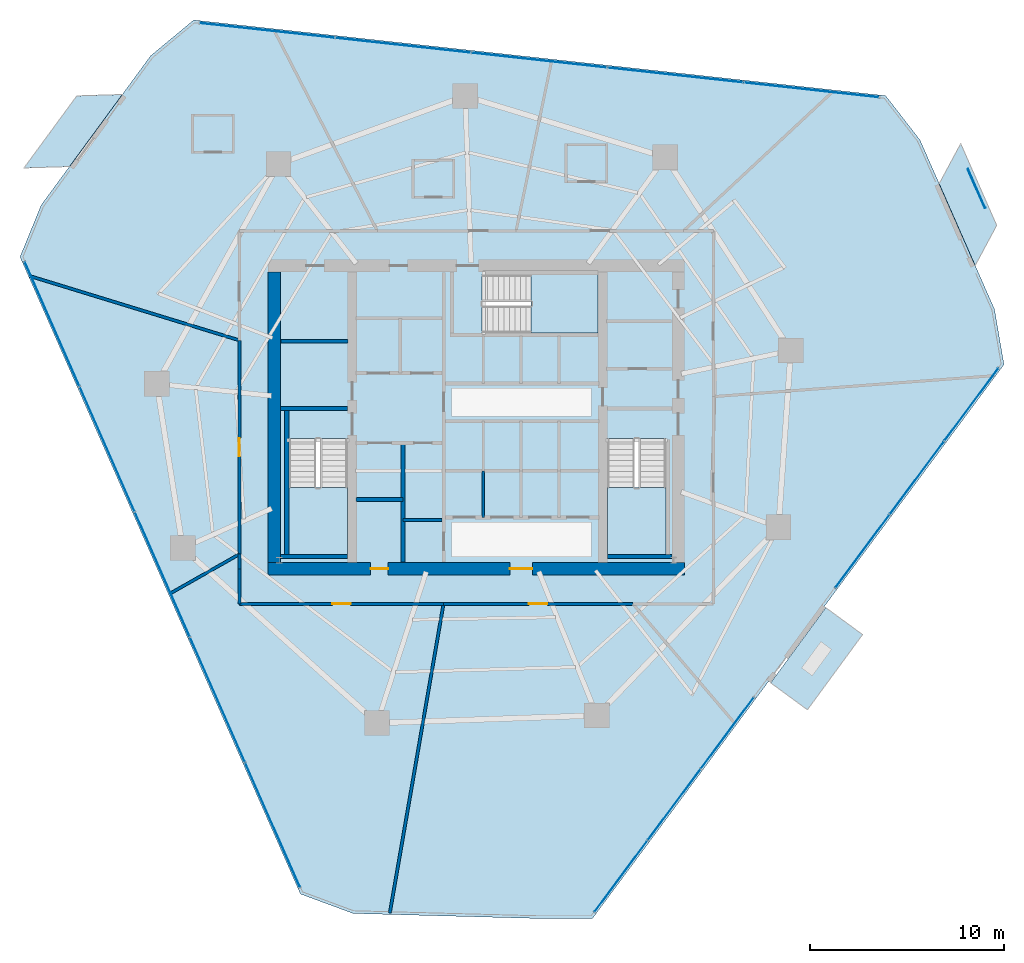
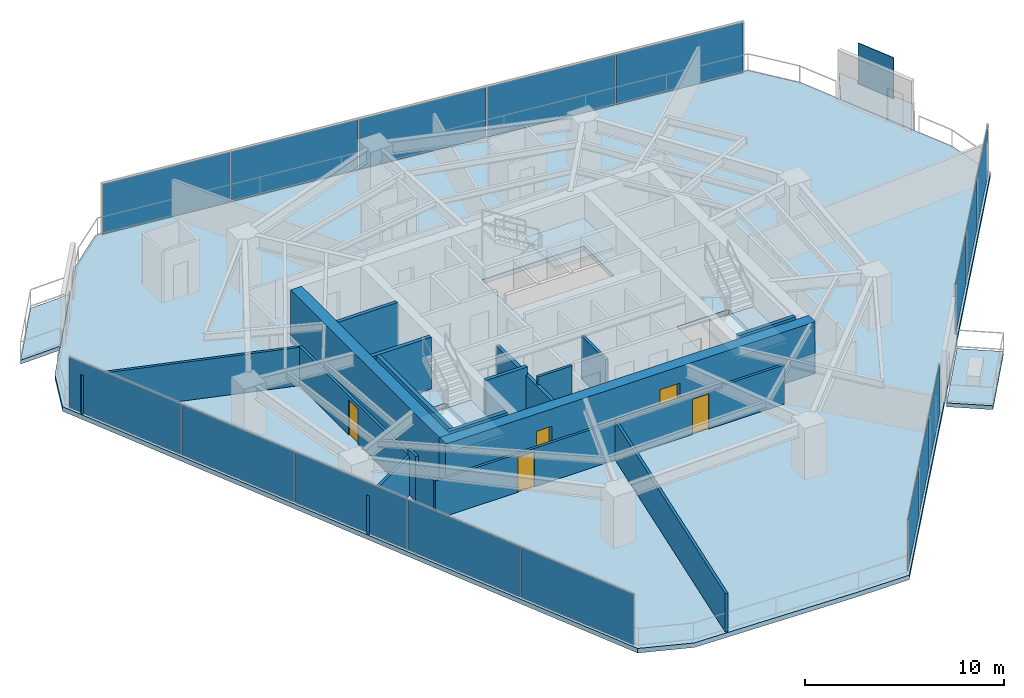
# One storey, part 23 of 28: 19 walls, 17 plates, 7 slabs, 5 doors, 5 openings, 7 elements without a shape of their own.
"""IFC4 building model written with IfcOpenShell, lengths in metres."""

from ifc_helpers import new_model, si_unit, direction, frame, frame_2d, origin, origin_2d, place, context, subcontext, project, spatial, polyline, rectangle, outline, extrude, material, layer, layer_set, type_object, element, fill, aggregate, save


model = new_model("IFC4")

# Units and contexts
model_context = context("Model", 3, precision=1e-05, world=origin(), true_north=direction((0.0, 1.0)))
body_context = subcontext(model_context, "Body", "Model", "MODEL_VIEW")
ifc_project = project(units=[si_unit("LENGTHUNIT", "METRE"), si_unit("AREAUNIT", "SQUARE_METRE"), si_unit("VOLUMEUNIT", "CUBIC_METRE"), si_unit("PLANEANGLEUNIT", "RADIAN"), si_unit("MASSUNIT", "GRAM", prefix="KILO")], contexts=[model_context])

# Site, building, storey
site_placement = place(None, origin())
site = spatial("IfcSite", under=ifc_project, at=site_placement, CompositionType="ELEMENT")
building_placement = place(site_placement, origin())
building = spatial("IfcBuilding", under=site, at=building_placement, Name="Qarnah Convention Tower", CompositionType="ELEMENT")
storey_placement = place(building_placement, frame((0.0, 0.0, 44.25)))
storey = spatial("IfcBuildingStorey", under=building, at=storey_placement, Name="L10", CompositionType="ELEMENT", Elevation=44.25)

# Curtain wall, plates
ifc_material_1 = material(Name="Tempered Low-E dark glass", Category="glass")
ifc_layer_1 = layer(ifc_material_1, 0.16796875)
ifc_layer_set_1 = layer_set([ifc_layer_1], Name="Tempered Low-E dark glass")
curtain_wall_type = type_object("IfcCurtainWallType", Name="CWS-01", PredefinedType="NOTDEFINED", material=ifc_layer_set_1)
curtain_wall_1_placement = place(storey_placement, origin())
curtain_wall_1 = element("IfcCurtainWall", 1, at=curtain_wall_1_placement, inside=storey, type_object=curtain_wall_type, Name="L10 unitised curtain wall CW-L10-F1", PredefinedType="NOTDEFINED")
ifc_layer_2 = layer(ifc_material_1, 0.028076171875)
ifc_layer_set_2 = layer_set([ifc_layer_2], Name="Tempered Low-E dark glass")
plate_type_1 = type_object("IfcPlateType", Name="PNL-T1", PredefinedType="CURTAIN_PANEL", material=ifc_layer_set_2)
plate_1_placement = place(storey_placement, frame((26.709228515625, 5.406005859375, 0.0400390625), z_axis=(0.0, 0.0, 1.0), x_axis=(-0.402894582993, 0.915246390321, 0.0)))
plate_1 = element("IfcPlate", 2, at=plate_1_placement, type_object=plate_type_1, Name="CW-L10-F1 curtain panel 1.1", PredefinedType="CURTAIN_PANEL", context=body_context, shape_type="SweptSolid", body=[
    extrude(rectangle(XDim=6.967529296875, YDim=0.028076171875, at=origin_2d()), origin(), (0.0, 0.0, 1.0), 3.090087890625),
])
plate_2_placement = place(storey_placement, frame((23.869873046875, 11.856201171875, 0.0400390625), z_axis=(0.0, 0.0, 1.0), x_axis=(-0.402894582993, 0.915246390321, 0.0)))
plate_2 = element("IfcPlate", 3, at=plate_2_placement, type_object=plate_type_1, Name="CW-L10-F1 curtain panel 2.1", PredefinedType="CURTAIN_PANEL", context=body_context, shape_type="SweptSolid", body=[
    extrude(rectangle(XDim=6.967529296875, YDim=0.028076171875, at=origin_2d()), origin(), (0.0, 0.0, 1.0), 3.090087890625),
])
plate_3_placement = place(storey_placement, frame((21.030517578125, 18.306396484375, 0.0400390625), z_axis=(0.0, 0.0, 1.0), x_axis=(-0.402894582993, 0.915246390321, 0.0)))
plate_3 = element("IfcPlate", 4, at=plate_3_placement, type_object=plate_type_1, Name="CW-L10-F1 curtain panel 3.1", PredefinedType="CURTAIN_PANEL", context=body_context, shape_type="SweptSolid", body=[
    extrude(rectangle(XDim=6.967529296875, YDim=0.028076171875, at=origin_2d()), origin(), (0.0, 0.0, 1.0), 3.090087890625),
])
plate_4_placement = place(storey_placement, frame((18.191162109375, 24.756591796875, 0.0400390625), z_axis=(0.0, 0.0, 1.0), x_axis=(-0.402894582993, 0.915246390321, 0.0)))
plate_4 = element("IfcPlate", 5, at=plate_4_placement, type_object=plate_type_1, Name="CW-L10-F1 curtain panel 4.1", PredefinedType="CURTAIN_PANEL", context=body_context, shape_type="SweptSolid", body=[
    extrude(rectangle(XDim=6.967529296875, YDim=0.028076171875, at=origin_2d()), origin(), (0.0, 0.0, 1.0), 3.090087890625),
])
plate_5_placement = place(storey_placement, frame((15.351806640625, 31.206787109375, 0.0400390625), z_axis=(0.0, 0.0, 1.0), x_axis=(-0.402894582993, 0.915246390321, 0.0)))
plate_5 = element("IfcPlate", 6, at=plate_5_placement, type_object=plate_type_1, Name="CW-L10-F1 curtain panel 5.1", PredefinedType="CURTAIN_PANEL", context=body_context, shape_type="SweptSolid", body=[
    extrude(rectangle(XDim=6.967529296875, YDim=0.028076171875, at=origin_2d()), origin(), (0.0, 0.0, 1.0), 3.090087890625),
])
aggregate(curtain_wall_1, [plate_1, plate_2, plate_3, plate_4, plate_5])

curtain_wall_2_placement = place(storey_placement, origin())
curtain_wall_2 = element("IfcCurtainWall", 7, at=curtain_wall_2_placement, inside=storey, type_object=curtain_wall_type, Name="L10 unitised curtain wall CW-L10-F2", PredefinedType="NOTDEFINED")
plate_6_placement = place(storey_placement, frame((26.430908203125, 46.322998046875, 0.0400390625), z_axis=(0.0, 0.0, 1.0), x_axis=(0.994075669195, -0.108690219954, 0.0)))
plate_6 = element("IfcPlate", 8, at=plate_6_placement, type_object=plate_type_1, Name="CW-L10-F2 curtain panel 1.1", PredefinedType="CURTAIN_PANEL", context=body_context, shape_type="SweptSolid", body=[
    extrude(rectangle(XDim=6.967529296875, YDim=0.028076171875, at=origin_2d()), origin(), (0.0, 0.0, 1.0), 3.090087890625),
])
plate_7_placement = place(storey_placement, frame((33.436767578125, 45.556884765625, 0.0400390625), z_axis=(0.0, 0.0, 1.0), x_axis=(0.994075669195, -0.108690219954, 0.0)))
plate_7 = element("IfcPlate", 9, at=plate_7_placement, type_object=plate_type_1, Name="CW-L10-F2 curtain panel 2.1", PredefinedType="CURTAIN_PANEL", context=body_context, shape_type="SweptSolid", body=[
    extrude(rectangle(XDim=6.967529296875, YDim=0.028076171875, at=origin_2d()), origin(), (0.0, 0.0, 1.0), 3.090087890625),
])
plate_8_placement = place(storey_placement, frame((40.4423828125, 44.791015625, 0.0400390625), z_axis=(0.0, 0.0, 1.0), x_axis=(0.994075669195, -0.108690219954, 0.0)))
plate_8 = element("IfcPlate", 10, at=plate_8_placement, type_object=plate_type_1, Name="CW-L10-F2 curtain panel 3.1", PredefinedType="CURTAIN_PANEL", context=body_context, shape_type="SweptSolid", body=[
    extrude(rectangle(XDim=6.967529296875, YDim=0.028076171875, at=origin_2d()), origin(), (0.0, 0.0, 1.0), 3.090087890625),
])
plate_9_placement = place(storey_placement, frame((47.4482421875, 44.02490234375, 0.0400390625), z_axis=(0.0, 0.0, 1.0), x_axis=(0.994075669195, -0.108690219954, 0.0)))
plate_9 = element("IfcPlate", 11, at=plate_9_placement, type_object=plate_type_1, Name="CW-L10-F2 curtain panel 4.1", PredefinedType="CURTAIN_PANEL", context=body_context, shape_type="SweptSolid", body=[
    extrude(rectangle(XDim=6.967529296875, YDim=0.028076171875, at=origin_2d()), origin(), (0.0, 0.0, 1.0), 3.090087890625),
])
plate_10_placement = place(storey_placement, frame((54.4541015625, 43.259033203125, 0.0400390625), z_axis=(0.0, 0.0, 1.0), x_axis=(0.994075669195, -0.108690219954, 0.0)))
plate_10 = element("IfcPlate", 12, at=plate_10_placement, type_object=plate_type_1, Name="CW-L10-F2 curtain panel 5.1", PredefinedType="CURTAIN_PANEL", context=body_context, shape_type="SweptSolid", body=[
    extrude(rectangle(XDim=6.967529296875, YDim=0.028076171875, at=origin_2d()), origin(), (0.0, 0.0, 1.0), 3.090087890625),
])
aggregate(curtain_wall_2, [plate_6, plate_7, plate_8, plate_9, plate_10])

curtain_wall_3_placement = place(storey_placement, origin())
curtain_wall_3 = element("IfcCurtainWall", 13, at=curtain_wall_3_placement, inside=storey, type_object=curtain_wall_type, Name="L10 unitised curtain wall CW-L10-F3", PredefinedType="NOTDEFINED")
plate_11_placement = place(storey_placement, frame((62.6845703125, 27.059814453125, 0.0400390625), z_axis=(0.0, 0.0, 1.0), x_axis=(-0.596356591949, -0.80271963676, 0.0)))
plate_11 = element("IfcPlate", 14, at=plate_11_placement, type_object=plate_type_1, Name="CW-L10-F3 curtain panel 1.1", PredefinedType="CURTAIN_PANEL", context=body_context, shape_type="SweptSolid", body=[
    extrude(rectangle(XDim=4.626953125, YDim=0.028076171875, at=origin_2d()), origin(), (0.0, 0.0, 1.0), 3.090087890625),
])
plate_12_placement = place(storey_placement, frame((59.87744140625, 23.281494140625, 0.0400390625), z_axis=(0.0, 0.0, 1.0), x_axis=(-0.596356591949, -0.80271963676, 0.0)))
plate_12 = element("IfcPlate", 15, at=plate_12_placement, type_object=plate_type_1, Name="CW-L10-F3 curtain panel 2.1", PredefinedType="CURTAIN_PANEL", context=body_context, shape_type="SweptSolid", body=[
    extrude(rectangle(XDim=4.626953125, YDim=0.028076171875, at=origin_2d()), origin(), (0.0, 0.0, 1.0), 3.090087890625),
])
plate_13_placement = place(storey_placement, frame((57.070556640625, 19.503173828125, 0.0400390625), z_axis=(0.0, 0.0, 1.0), x_axis=(-0.596356591949, -0.80271963676, 0.0)))
plate_13 = element("IfcPlate", 16, at=plate_13_placement, type_object=plate_type_1, Name="CW-L10-F3 curtain panel 3.1", PredefinedType="CURTAIN_PANEL", context=body_context, shape_type="SweptSolid", body=[
    extrude(rectangle(XDim=4.626953125, YDim=0.028076171875, at=origin_2d()), origin(), (0.0, 0.0, 1.0), 3.090087890625),
])
aggregate(curtain_wall_3, [plate_11, plate_12, plate_13])

curtain_wall_4_placement = place(storey_placement, origin())
curtain_wall_4 = element("IfcCurtainWall", 17, at=curtain_wall_4_placement, inside=storey, type_object=curtain_wall_type, Name="L10 unitised curtain wall CW-L10-F4", PredefinedType="NOTDEFINED")
plate_14_placement = place(storey_placement, frame((50.12158203125, 10.148681640625, 0.0400390625), z_axis=(0.0, 0.0, 1.0), x_axis=(-0.596332003942, -0.802737903101, 0.0)))
plate_14 = element("IfcPlate", 18, at=plate_14_placement, type_object=plate_type_1, Name="CW-L10-F4 curtain panel 1.1", PredefinedType="CURTAIN_PANEL", context=body_context, shape_type="SweptSolid", body=[
    extrude(rectangle(XDim=4.5224609375, YDim=0.028076171875, at=origin_2d()), origin(), (0.0, 0.0, 1.0), 3.090087890625),
])
plate_15_placement = place(storey_placement, frame((47.376953125, 6.4541015625, 0.0400390625), z_axis=(0.0, 0.0, 1.0), x_axis=(-0.596332003942, -0.802737903101, 0.0)))
plate_15 = element("IfcPlate", 19, at=plate_15_placement, type_object=plate_type_1, Name="CW-L10-F4 curtain panel 2.1", PredefinedType="CURTAIN_PANEL", context=body_context, shape_type="SweptSolid", body=[
    extrude(rectangle(XDim=4.5224609375, YDim=0.028076171875, at=origin_2d()), origin(), (0.0, 0.0, 1.0), 3.090087890625),
])
plate_16_placement = place(storey_placement, frame((44.63232421875, 2.75927734375, 0.0400390625), z_axis=(0.0, 0.0, 1.0), x_axis=(-0.596332003942, -0.802737903101, 0.0)))
plate_16 = element("IfcPlate", 20, at=plate_16_placement, type_object=plate_type_1, Name="CW-L10-F4 curtain panel 3.1", PredefinedType="CURTAIN_PANEL", context=body_context, shape_type="SweptSolid", body=[
    extrude(rectangle(XDim=4.5224609375, YDim=0.028076171875, at=origin_2d()), origin(), (0.0, 0.0, 1.0), 3.090087890625),
])
aggregate(curtain_wall_4, [plate_14, plate_15, plate_16])

# Plate
ifc_material_2 = material(Name="Black anodised aluminium", Category="aluminium")
ifc_layer_3 = layer(ifc_material_2, 0.044921875)
ifc_layer_set_3 = layer_set([ifc_layer_3], Name="Black anodised aluminium")
plate_type_2 = type_object("IfcPlateType", Name="SCR-BAL-18", PredefinedType="USERDEFINED", material=ifc_layer_set_3)
plate_17_placement = place(storey_placement, frame((62.947998046875, 38.177978515625, 0.0), z_axis=(0.0, 0.0, 1.0), x_axis=(0.402847331178, -0.915267189275, 0.0)))
element("IfcPlate", 21, at=plate_17_placement, inside=storey, type_object=plate_type_2, Name="L10 perforated desert solar screen BAL-L10-C1", ObjectType="SCREEN", PredefinedType="USERDEFINED", context=body_context, shape_type="SweptSolid", body=[
    extrude(rectangle(XDim=2.199951171875, YDim=0.044921875, at=origin_2d()), origin(), (0.0, 0.0, 1.0), 2.5),
])

# Slabs
ifc_material_3 = material(Name="Concrete C45/55", Category="concrete")
ifc_layer_4 = layer(ifc_material_3, 0.239990234375)
ifc_layer_set_4 = layer_set([ifc_layer_4], Name="Concrete C45/55")
slab_type_1 = type_object("IfcSlabType", Name="SLB-BAL-240", PredefinedType="USERDEFINED", material=ifc_layer_set_4)
slab_1_placement = place(storey_placement, frame((0.0, 0.0, -0.239990234375)))
element("IfcSlab", 22, at=slab_1_placement, inside=storey, type_object=slab_type_1, Name="L10 cantilevered balcony slab BAL-L10-C1", ObjectType="BALCONY", PredefinedType="USERDEFINED", context=body_context, shape_type="SweptSolid", body=[
    extrude(outline(polyline([(62.135009765625, 40.493896484375), (63.988037109375, 36.283935546875), (62.8779296875, 34.216064453125), (61.02490234375, 38.427001953125), (62.135009765625, 40.493896484375)])), origin(), (0.0, 0.0, 1.0), 0.239990234375),
])
slab_2_placement = place(storey_placement, frame((0.0, 0.0, -0.239990234375)))
element("IfcSlab", 23, at=slab_2_placement, inside=storey, type_object=slab_type_1, Name="L10 cantilevered balcony slab BAL-L10-C2", ObjectType="BALCONY", PredefinedType="USERDEFINED", context=body_context, shape_type="SweptSolid", body=[
    extrude(outline(polyline([(13.906005859375, 39.240966796875), (16.625, 42.950927734375), (18.970947265625, 43.02392578125), (16.25, 39.31298828125), (13.906005859375, 39.240966796875)])), origin(), (0.0, 0.0, 1.0), 0.239990234375),
])
slab_3_placement = place(storey_placement, frame((0.0, 0.0, -0.239990234375)))
element("IfcSlab", 24, at=slab_3_placement, inside=storey, type_object=slab_type_1, Name="L10 cantilevered balcony slab VN-L10", ObjectType="BALCONY", PredefinedType="USERDEFINED", context=body_context, shape_type="SweptSolid", body=[
    extrude(outline(polyline([(55.18603515625, 16.60400390625), (57.0810546875, 15.215087890625), (54.242919921875, 11.343994140625), (52.347900390625, 12.73291015625), (55.18603515625, 16.60400390625)])), origin(), (0.0, 0.0, 1.0), 0.239990234375),
])

# Stair, slab
ifc_material_4 = material(Name="Concrete C50/60", Category="concrete")
stair_type = type_object("IfcStairType", Name="STR-HTL", PredefinedType="HALF_TURN_STAIR", material=ifc_material_4)
stair_1_placement = place(storey_placement, origin())
stair_1 = element("IfcStair", 25, at=stair_1_placement, inside=storey, type_object=stair_type, Name="L10 Core exit stair ST-1", PredefinedType="HALF_TURN_STAIR")
ifc_layer_5 = layer(ifc_material_4, 0.199951171875)
ifc_layer_set_5 = layer_set([ifc_layer_5], Name="Concrete C50/60")
slab_type_2 = type_object("IfcSlabType", Name="SLB-LANDING-200", PredefinedType="LANDING", material=ifc_layer_set_5)
slab_4_placement = place(storey_placement, frame((0.0, 0.0, 1.52490234375)))
slab_4 = element("IfcSlab", 26, at=slab_4_placement, type_object=slab_type_2, Name="ST-1 landing 1", PredefinedType="LANDING", context=body_context, shape_type="SweptSolid", body=[
    extrude(outline(polyline([(27.550048828125, 22.780029296875), (27.550048828125, 19.35009765625), (30.550048828125, 19.35009765625), (30.550048828125, 22.780029296875), (27.550048828125, 22.780029296875)])), origin(), (0.0, 0.0, 1.0), 0.2001953125),
])
aggregate(stair_1, [slab_4])

stair_2_placement = place(storey_placement, origin())
stair_2 = element("IfcStair", 27, at=stair_2_placement, inside=storey, type_object=stair_type, Name="L10 Core exit stair ST-2", PredefinedType="HALF_TURN_STAIR")
slab_5_placement = place(storey_placement, frame((0.0, 0.0, 1.52490234375)))
slab_5 = element("IfcSlab", 28, at=slab_5_placement, type_object=slab_type_2, Name="ST-2 landing 1", PredefinedType="LANDING", context=body_context, shape_type="SweptSolid", body=[
    extrude(outline(polyline([(43.949951171875, 22.780029296875), (43.949951171875, 19.35009765625), (46.949951171875, 19.35009765625), (46.949951171875, 22.780029296875), (43.949951171875, 22.780029296875)])), origin(), (0.0, 0.0, 1.0), 0.2001953125),
])
aggregate(stair_2, [slab_5])

stair_3_placement = place(storey_placement, origin())
stair_3 = element("IfcStair", 29, at=stair_3_placement, inside=storey, type_object=stair_type, Name="L10 Core exit stair ST-3", PredefinedType="HALF_TURN_STAIR")
slab_6_placement = place(storey_placement, frame((0.0, 0.0, 1.52490234375)))
slab_6 = element("IfcSlab", 30, at=slab_6_placement, type_object=slab_type_2, Name="ST-3 landing 1", PredefinedType="LANDING", context=body_context, shape_type="SweptSolid", body=[
    extrude(outline(polyline([(40.02001953125, 30.75), (43.449951171875, 30.75), (43.449951171875, 33.75), (40.02001953125, 33.75), (40.02001953125, 30.75)])), origin(), (0.0, 0.0, 1.0), 0.2001953125),
])
aggregate(stair_3, [slab_6])

# Slab
ifc_layer_6 = layer(ifc_material_3, 0.280029296875)
ifc_layer_set_6 = layer_set([ifc_layer_6], Name="Concrete C45/55")
slab_type_3 = type_object("IfcSlabType", Name="SLB-TWR-280", PredefinedType="FLOOR", material=ifc_layer_set_6)
slab_7_placement = place(storey_placement, frame((0.0, 0.0, -0.280029296875)))
element("IfcSlab", 31, at=slab_7_placement, inside=storey, type_object=slab_type_3, Name="L10 structural floor slab", PredefinedType="FLOOR", context=body_context, shape_type="SweptSolid", body=[
    extrude(outline(polyline([(58.26806640625, 42.962890625), (22.64306640625, 46.85791015625), (20.422119140625, 45.010009765625), (14.7939453125, 37.3330078125), (13.700927734375, 34.657958984375), (28.139892578125, 1.85791015625), (30.85107421875, 0.85791015625), (40.31396484375, 0.60009765625), (43.177001953125, 0.60009765625), (64.363037109375, 29.117919921875), (63.873046875, 31.966064453125), (60.0380859375, 40.678955078125), (58.26806640625, 42.962890625)]), holes=[polyline([(27.550048828125, 25.300048828125), (27.550048828125, 19.35009765625), (30.550048828125, 19.35009765625), (30.550048828125, 25.300048828125), (27.550048828125, 25.300048828125)]), polyline([(43.949951171875, 25.300048828125), (43.949951171875, 19.35009765625), (46.949951171875, 19.35009765625), (46.949951171875, 25.300048828125), (43.949951171875, 25.300048828125)]), polyline([(37.5, 30.75), (43.449951171875, 30.75), (43.449951171875, 33.75), (37.5, 33.75), (37.5, 30.75)])]), origin(), (0.0, 0.0, 1.0), 0.280029296875),
])

# Wall, openings, doors
ifc_material_5 = material(Name="Concrete C60/75", Category="concrete")
ifc_layer_7 = layer(ifc_material_5, 0.64990234375)
ifc_layer_set_7 = layer_set([ifc_layer_7], Name="Concrete C60/75")
wall_type_1 = type_object("IfcWallType", Name="WL-CORE-650", PredefinedType="SHEAR", material=ifc_layer_set_7)
wall_1_placement = place(storey_placement, frame((26.47509765625, 18.60009765625, 0.0), z_axis=(0.0, 0.0, 1.0), x_axis=(1.0, 0.0, 0.0)))
wall_1 = element("IfcWall", 32, at=wall_1_placement, inside=storey, type_object=wall_type_1, Name="L10 core south shear wall", PredefinedType="SHEAR", context=body_context, shape_type="SweptSolid", body=[
    extrude(rectangle(XDim=21.449951171875, YDim=0.64990234375, at=frame_2d((10.72509765625, 0.0))), origin(), (0.0, 0.0, 1.0), 3.169921875),
])
opening_1_placement = place(wall_1_placement, frame((12.449951171875, 0.0, 0.0)))
opening_1 = element("IfcOpeningElement", 33, at=opening_1_placement, cuts=wall_1, Name="Opening D-1007", PredefinedType="OPENING", context=body_context, shape_type="SweptSolid", body=[
    extrude(rectangle(XDim=1.14990234375, YDim=2.14990234375, at=frame_2d((0.574951171875, 1.074951171875))), frame((0.0, 0.3349609375, 0.0), z_axis=(0.0, -1.0, 0.0), x_axis=(1.0, 0.0, 0.0)), (0.0, 0.0, 1.0), 0.669921875),
])
opening_2_placement = place(wall_1_placement, frame((5.27490234375, 0.0, 0.0)))
opening_2 = element("IfcOpeningElement", 34, at=opening_2_placement, cuts=wall_1, Name="Opening D-1013", PredefinedType="OPENING", context=body_context, shape_type="SweptSolid", body=[
    extrude(rectangle(XDim=0.89990234375, YDim=2.10009765625, at=frame_2d((0.449951171875, 1.050048828125))), frame((0.0, 0.3349609375, 0.0), z_axis=(0.0, -1.0, 0.0), x_axis=(1.0, 0.0, 0.0)), (0.0, 0.0, 1.0), 0.669921875),
])
ifc_material_6 = material(Name="Structural steel S355JR", Category="steel")
door_type_1 = type_object("IfcDoorType", Name="DT-LOBBY-1150", OperationType="NOTDEFINED", PredefinedType="DOOR", material=ifc_material_6)
door_1_placement = place(opening_1_placement, origin())
door_1 = element("IfcDoor", 35, at=door_1_placement, inside=storey, type_object=door_type_1, Name="Door D-1007", OperationType="SINGLE_SWING_LEFT", OverallHeight=2.14990234375, OverallWidth=1.14990234375, PredefinedType="DOOR", context=body_context, shape_type="SweptSolid", body=[
    extrude(rectangle(XDim=1.14990234375, YDim=2.14990234375, at=frame_2d((0.574951171875, 1.074951171875))), frame((0.0, 0.02490234375, 0.0), z_axis=(0.0, -1.0, 0.0), x_axis=(1.0, 0.0, 0.0)), (0.0, 0.0, 1.0), 0.050048828125),
])
fill(opening_1, door_1)
door_type_2 = type_object("IfcDoorType", Name="DT-RISER-900", OperationType="NOTDEFINED", PredefinedType="DOOR", material=ifc_material_6)
door_2_placement = place(opening_2_placement, origin())
door_2 = element("IfcDoor", 36, at=door_2_placement, inside=storey, type_object=door_type_2, Name="Door D-1013", OperationType="SINGLE_SWING_LEFT", OverallHeight=2.10009765625, OverallWidth=0.89990234375, PredefinedType="DOOR", context=body_context, shape_type="SweptSolid", body=[
    extrude(rectangle(XDim=0.89990234375, YDim=2.10009765625, at=frame_2d((0.449951171875, 1.050048828125))), frame((0.0, 0.02490234375, 0.0), z_axis=(0.0, -1.0, 0.0), x_axis=(1.0, 0.0, 0.0)), (0.0, 0.0, 1.0), 0.050048828125),
])
fill(opening_2, door_2)

# Walls
wall_2_placement = place(storey_placement, frame((26.800048828125, 18.925048828125, 0.0), z_axis=(0.0, 0.0, 1.0), x_axis=(0.0, 1.0, 0.0)))
element("IfcWall", 37, at=wall_2_placement, inside=storey, type_object=wall_type_1, Name="L10 core west shear wall", PredefinedType="SHEAR", context=body_context, shape_type="SweptSolid", body=[
    extrude(rectangle(XDim=14.949951171875, YDim=0.64990234375, at=frame_2d((7.47509765625, 0.0))), origin(), (0.0, 0.0, 1.0), 3.169921875),
])
ifc_layer_8 = layer(ifc_material_3, 0.199951171875)
ifc_layer_set_8 = layer_set([ifc_layer_8], Name="Concrete C45/55")
wall_type_2 = type_object("IfcWallType", Name="WL-CORE-PART-200", PredefinedType="SOLIDWALL", material=ifc_layer_set_8)
wall_3_placement = place(storey_placement, frame((27.14990234375, 30.320068359375, 0.0), z_axis=(0.0, 0.0, 1.0), x_axis=(1.0, 0.0, 0.0)))
element("IfcWall", 38, at=wall_3_placement, inside=storey, type_object=wall_type_2, Name="L10 interior wall IW-L10-ELRN", PredefinedType="SOLIDWALL", context=body_context, shape_type="SweptSolid", body=[
    extrude(rectangle(XDim=3.4501953125, YDim=0.199951171875, at=frame_2d((1.72509765625, 0.0))), origin(), (0.0, 0.0, 1.0), 3.169921875),
])
wall_4_placement = place(storey_placement, frame((33.419921875, 18.949951171875, 0.0), z_axis=(0.0, 0.0, 1.0), x_axis=(0.0, 1.0, 0.0)))
element("IfcWall", 39, at=wall_4_placement, inside=storey, type_object=wall_type_2, Name="L10 interior wall IW-L10-SVLE", PredefinedType="SOLIDWALL", context=body_context, shape_type="SweptSolid", body=[
    extrude(rectangle(XDim=6.130126953125, YDim=0.199951171875, at=frame_2d((3.06494140625, 0.0))), origin(), (0.0, 0.0, 1.0), 2.69091796875),
])
wall_5_placement = place(storey_placement, frame((31.0, 22.179931640625, 0.0), z_axis=(0.0, 0.0, 1.0), x_axis=(1.0, 0.0, 0.0)))
element("IfcWall", 40, at=wall_5_placement, inside=storey, type_object=wall_type_2, Name="L10 interior wall IW-L10-SVLS", PredefinedType="SOLIDWALL", context=body_context, shape_type="SweptSolid", body=[
    extrude(rectangle(XDim=2.419921875, YDim=0.199951171875, at=frame_2d((1.2099609375, 0.0))), origin(), (0.0, 0.0, 1.0), 3.169921875),
])
ifc_layer_9 = layer(ifc_material_5, 0.219970703125)
ifc_layer_set_9 = layer_set([ifc_layer_9], Name="Concrete C60/75")
wall_type_3 = type_object("IfcWallType", Name="WL-CORE-STAIR-220", PredefinedType="SHEAR", material=ifc_layer_set_9)
wall_6_placement = place(storey_placement, frame((27.125, 26.860107421875, 0.0), z_axis=(0.0, 0.0, 1.0), x_axis=(1.0, 0.0, 0.0)))
element("IfcWall", 41, at=wall_6_placement, inside=storey, type_object=wall_type_3, Name="L10 stair shaft shear wall SW-L10-ST1N", PredefinedType="SHEAR", context=body_context, shape_type="SweptSolid", body=[
    extrude(rectangle(XDim=3.425048828125, YDim=0.219970703125, at=frame_2d((1.71240234375, 0.0))), origin(), (0.0, 0.0, 1.0), 3.169921875),
])
wall_7_placement = place(storey_placement, frame((27.43994140625, 19.35009765625, 0.0), z_axis=(0.0, 0.0, 1.0), x_axis=(0.0, 1.0, 0.0)))
element("IfcWall", 42, at=wall_7_placement, inside=storey, type_object=wall_type_3, Name="L10 stair shaft shear wall SW-L10-ST1W", PredefinedType="SHEAR", context=body_context, shape_type="SweptSolid", body=[
    extrude(rectangle(XDim=7.39990234375, YDim=0.219970703125, at=frame_2d((3.699951171875, 0.0))), origin(), (0.0, 0.0, 1.0), 3.169921875),
])
wall_8_placement = place(storey_placement, frame((27.125, 19.239990234375, 0.0), z_axis=(0.0, 0.0, 1.0), x_axis=(1.0, 0.0, 0.0)))
element("IfcWall", 43, at=wall_8_placement, inside=storey, type_object=wall_type_3, Name="L10 stair shaft shear wall SW-L10-ST1S", PredefinedType="SHEAR", context=body_context, shape_type="SweptSolid", body=[
    extrude(rectangle(XDim=3.425048828125, YDim=0.219970703125, at=frame_2d((1.71240234375, 0.0))), origin(), (0.0, 0.0, 1.0), 3.169921875),
])
wall_9_placement = place(storey_placement, frame((43.949951171875, 19.239990234375, 0.0), z_axis=(0.0, 0.0, 1.0), x_axis=(1.0, 0.0, 0.0)))
element("IfcWall", 44, at=wall_9_placement, inside=storey, type_object=wall_type_3, Name="L10 stair shaft shear wall SW-L10-ST2S", PredefinedType="SHEAR", context=body_context, shape_type="SweptSolid", body=[
    extrude(rectangle(XDim=3.324951171875, YDim=0.219970703125, at=frame_2d((1.66259765625, 0.0))), origin(), (0.0, 0.0, 1.0), 3.169921875),
])
ifc_material_7 = material(Name="Gypsum partition board")
ifc_layer_10 = layer(ifc_material_7, 0.14990234375)
ifc_layer_set_10 = layer_set([ifc_layer_10], Name="Gypsum partition board")
wall_type_4 = type_object("IfcWallType", Name="WL-SUITE-150", PredefinedType="PARTITIONING", material=ifc_layer_set_10)
wall_10_placement = place(storey_placement, frame((33.419921875, 21.1201171875, 0.0), z_axis=(0.0, 0.0, 1.0), x_axis=(1.0, 0.0, 0.0)))
element("IfcWall", 45, at=wall_10_placement, inside=storey, type_object=wall_type_4, Name="L10 interior wall IW-L10-CSV1", PredefinedType="PARTITIONING", context=body_context, shape_type="SweptSolid", body=[
    extrude(rectangle(XDim=2.0, YDim=0.14990234375, at=frame_2d((1.0, 0.0))), origin(), (0.0, 0.0, 1.0), 3.169921875),
])
wall_11_placement = place(storey_placement, frame((37.550048828125, 21.25, 0.0), z_axis=(0.0, 0.0, 1.0), x_axis=(0.0, 1.0, 0.0)))
element("IfcWall", 46, at=wall_11_placement, inside=storey, type_object=wall_type_4, Name="L10 interior wall IW-L10-PLD1", PredefinedType="PARTITIONING", context=body_context, shape_type="SweptSolid", body=[
    extrude(rectangle(XDim=2.39990234375, YDim=0.14990234375, at=frame_2d((1.199951171875, 0.0))), origin(), (0.0, 0.0, 1.0), 2.69091796875),
])
wall_12_placement = place(storey_placement, frame((14.197998046875, 33.677978515625, 0.0), z_axis=(0.0, 0.0, 1.0), x_axis=(0.956020688315, -0.293299238856, 0.0)))
element("IfcWall", 47, at=wall_12_placement, inside=storey, type_object=wall_type_4, Name="L10 interior wall IW-L10-R-22", PredefinedType="PARTITIONING", context=body_context, shape_type="SweptSolid", body=[
    extrude(rectangle(XDim=11.298828125, YDim=0.14990234375, at=frame_2d((5.6494140625, 0.0))), origin(), (0.0, 0.0, 1.0), 2.35498046875),
])
wall_13_placement = place(storey_placement, frame((21.4189453125, 17.323974609375, 0.0), z_axis=(0.0, 0.0, 1.0), x_axis=(0.869738882601, 0.493512184339, 0.0)))
element("IfcWall", 48, at=wall_13_placement, inside=storey, type_object=wall_type_4, Name="L10 interior wall IW-L10-R-26", PredefinedType="PARTITIONING", context=body_context, shape_type="SweptSolid", body=[
    extrude(rectangle(XDim=4.117431640625, YDim=0.14990234375, at=frame_2d((2.05859375, 0.0))), origin(), (0.0, 0.0, 1.0), 2.35498046875),
])

# Wall, opening, door
wall_14_placement = place(storey_placement, frame((25.0, 19.35595703125, 0.0), z_axis=(0.0, 0.0, 1.0), x_axis=(0.0, 1.0, 0.0)))
wall_14 = element("IfcWall", 49, at=wall_14_placement, inside=storey, type_object=wall_type_4, Name="L10 interior wall IW-L10-R-27", PredefinedType="PARTITIONING", context=body_context, shape_type="SweptSolid", body=[
    extrude(rectangle(XDim=11.008056640625, YDim=0.14990234375, at=frame_2d((5.50390625, 0.0))), origin(), (0.0, 0.0, 1.0), 2.39501953125),
])
opening_3_placement = place(wall_14_placement, frame((5.029052734375, 0.0, 0.0)))
opening_3 = element("IfcOpeningElement", 50, at=opening_3_placement, cuts=wall_14, Name="Opening D-1023", PredefinedType="OPENING", context=body_context, shape_type="SweptSolid", body=[
    extrude(rectangle(XDim=0.949951171875, YDim=2.14990234375, at=frame_2d((0.47509765625, 1.074951171875))), frame((0.0, 0.0849609375, 0.0), z_axis=(0.0, -1.0, 0.0), x_axis=(1.0, 0.0, 0.0)), (0.0, 0.0, 1.0), 0.169921875),
])
ifc_material_8 = material(Name="Oak timber veneer", Category="wood")
door_type_3 = type_object("IfcDoorType", Name="DT-HOTEL-950", OperationType="NOTDEFINED", PredefinedType="DOOR", material=ifc_material_8)
door_3_placement = place(opening_3_placement, origin())
door_3 = element("IfcDoor", 51, at=door_3_placement, inside=storey, type_object=door_type_3, Name="Door D-1023", OperationType="SINGLE_SWING_LEFT", OverallHeight=2.14990234375, OverallWidth=0.949951171875, PredefinedType="DOOR", context=body_context, shape_type="SweptSolid", body=[
    extrude(rectangle(XDim=0.949951171875, YDim=2.14990234375, at=frame_2d((0.47509765625, 1.074951171875))), frame((0.0, 0.02490234375, 0.0), z_axis=(0.0, -1.0, 0.0), x_axis=(1.0, 0.0, 0.0)), (0.0, 0.0, 1.0), 0.050048828125),
])
fill(opening_3, door_3)

# Wall
wall_15_placement = place(storey_placement, frame((32.742919921875, 0.885986328125, 0.0), z_axis=(0.0, 0.0, 1.0), x_axis=(0.171130671869, 0.985248340849, 0.0)))
element("IfcWall", 52, at=wall_15_placement, inside=storey, type_object=wall_type_4, Name="L10 interior wall IW-L10-R-28", PredefinedType="PARTITIONING", context=body_context, shape_type="SweptSolid", body=[
    extrude(rectangle(XDim=16.15234375, YDim=0.14990234375, at=frame_2d((8.076171875, 0.0))), origin(), (0.0, 0.0, 1.0), 2.35498046875),
])

# Wall, opening, door
wall_16_placement = place(storey_placement, frame((35.507080078125, 16.800048828125, 0.0), z_axis=(0.0, 0.0, 1.0), x_axis=(-1.0, 0.0, 0.0)))
wall_16 = element("IfcWall", 53, at=wall_16_placement, inside=storey, type_object=wall_type_4, Name="L10 interior wall IW-L10-R-29", PredefinedType="PARTITIONING", context=body_context, shape_type="SweptSolid", body=[
    extrude(rectangle(XDim=10.507080078125, YDim=0.14990234375, at=frame_2d((5.25341796875, 0.0))), origin(), (0.0, 0.0, 1.0), 2.35498046875),
])
opening_4_placement = place(wall_16_placement, frame((4.778076171875, 0.0, 0.0)))
opening_4 = element("IfcOpeningElement", 54, at=opening_4_placement, cuts=wall_16, Name="Opening D-1024", PredefinedType="OPENING", context=body_context, shape_type="SweptSolid", body=[
    extrude(rectangle(XDim=0.949951171875, YDim=2.14990234375, at=frame_2d((0.47509765625, 1.074951171875))), frame((0.0, 0.0849609375, 0.0), z_axis=(0.0, -1.0, 0.0), x_axis=(1.0, 0.0, 0.0)), (0.0, 0.0, 1.0), 0.169921875),
])
door_4_placement = place(opening_4_placement, origin())
door_4 = element("IfcDoor", 55, at=door_4_placement, inside=storey, type_object=door_type_3, Name="Door D-1024", OperationType="SINGLE_SWING_RIGHT", OverallHeight=2.14990234375, OverallWidth=0.949951171875, PredefinedType="DOOR", context=body_context, shape_type="SweptSolid", body=[
    extrude(rectangle(XDim=0.949951171875, YDim=2.14990234375, at=frame_2d((0.47509765625, 1.074951171875))), frame((0.0, 0.02490234375, 0.0), z_axis=(0.0, -1.0, 0.0), x_axis=(1.0, 0.0, 0.0)), (0.0, 0.0, 1.0), 0.050048828125),
])
fill(opening_4, door_4)

# Walls
wall_17_placement = place(storey_placement, frame((25.0, 16.800048828125, 0.0), z_axis=(0.0, 0.0, 1.0), x_axis=(0.0, 1.0, 0.0)))
element("IfcWall", 56, at=wall_17_placement, inside=storey, type_object=wall_type_4, Name="L10 interior wall IW-L10-R-30", PredefinedType="PARTITIONING", context=body_context, shape_type="SweptSolid", body=[
    extrude(rectangle(XDim=1.800048828125, YDim=0.14990234375, at=frame_2d((0.89990234375, 0.0))), origin(), (0.0, 0.0, 1.0), 2.35498046875),
])
wall_18_placement = place(storey_placement, frame((25.0, 18.60009765625, 0.0), z_axis=(0.0, 0.0, 1.0), x_axis=(0.0, 1.0, 0.0)))
element("IfcWall", 57, at=wall_18_placement, inside=storey, type_object=wall_type_4, Name="L10 interior wall IW-L10-R-31", PredefinedType="PARTITIONING", context=body_context, shape_type="SweptSolid", body=[
    extrude(rectangle(XDim=0.755859375, YDim=0.14990234375, at=frame_2d((0.3779296875, 0.0))), origin(), (0.0, 0.0, 1.0), 2.7470703125),
])

# Wall, opening, door
wall_19_placement = place(storey_placement, frame((45.2548828125, 16.800048828125, 0.0), z_axis=(0.0, 0.0, 1.0), x_axis=(-1.0, 0.0, 0.0)))
wall_19 = element("IfcWall", 58, at=wall_19_placement, inside=storey, type_object=wall_type_4, Name="L10 interior wall IW-L10-R-33", PredefinedType="PARTITIONING", context=body_context, shape_type="SweptSolid", body=[
    extrude(rectangle(XDim=9.747802734375, YDim=0.14990234375, at=frame_2d((4.8740234375, 0.0))), origin(), (0.0, 0.0, 1.0), 2.39501953125),
])
opening_5_placement = place(wall_19_placement, frame((4.39892578125, 0.0, 0.0)))
opening_5 = element("IfcOpeningElement", 59, at=opening_5_placement, cuts=wall_19, Name="Opening D-1025", PredefinedType="OPENING", context=body_context, shape_type="SweptSolid", body=[
    extrude(rectangle(XDim=0.949951171875, YDim=2.14990234375, at=frame_2d((0.47509765625, 1.074951171875))), frame((0.0, 0.0849609375, 0.0), z_axis=(0.0, -1.0, 0.0), x_axis=(1.0, 0.0, 0.0)), (0.0, 0.0, 1.0), 0.169921875),
])
door_5_placement = place(opening_5_placement, origin())
door_5 = element("IfcDoor", 60, at=door_5_placement, inside=storey, type_object=door_type_3, Name="Door D-1025", OperationType="SINGLE_SWING_LEFT", OverallHeight=2.14990234375, OverallWidth=0.949951171875, PredefinedType="DOOR", context=body_context, shape_type="SweptSolid", body=[
    extrude(rectangle(XDim=0.949951171875, YDim=2.14990234375, at=frame_2d((0.47509765625, 1.074951171875))), frame((0.0, 0.02490234375, 0.0), z_axis=(0.0, -1.0, 0.0), x_axis=(1.0, 0.0, 0.0)), (0.0, 0.0, 1.0), 0.050048828125),
])
fill(opening_5, door_5)

save(model, "model.ifc")
